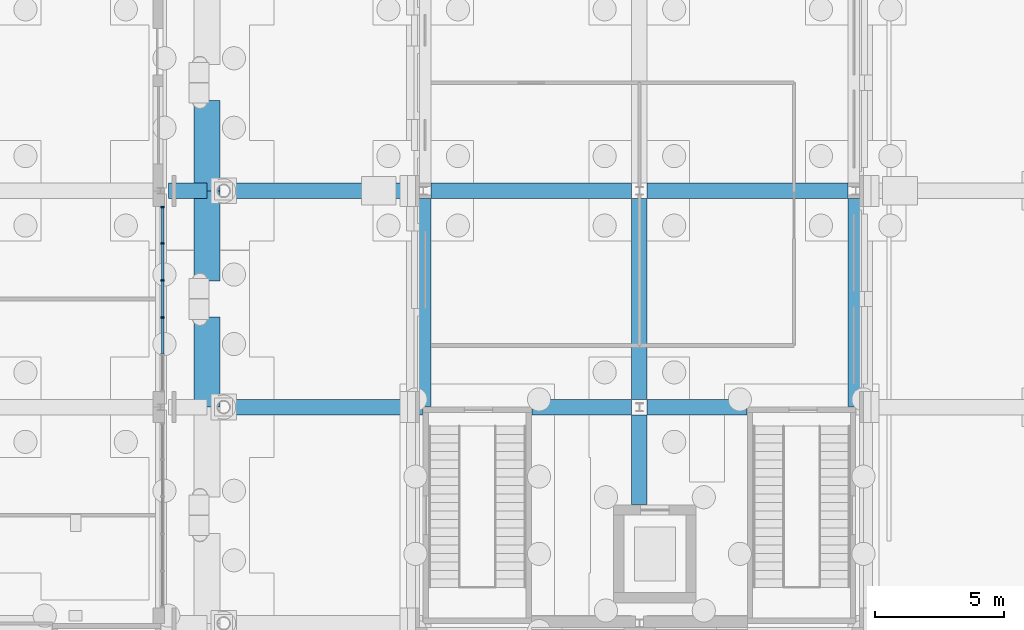
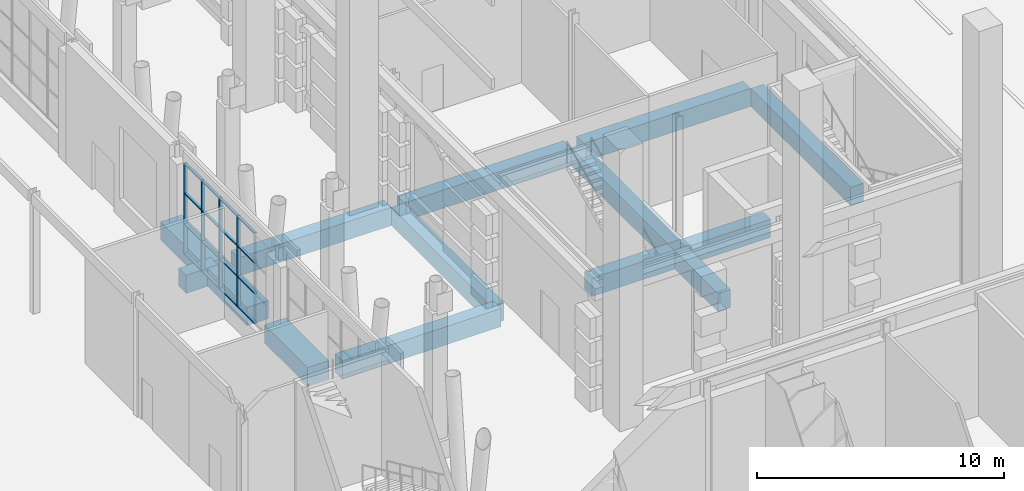
# One storey, part 52 of 222: 20 members, 14 beams, 1 element without a shape of its own.
"""IFC4 building model written with IfcOpenShell, lengths in metres."""

import ifcopenshell
import ifcopenshell.guid

model = None  # the IFC model being written
_history = None  # IfcOwnerHistory: only IFC2X3 demands one
_inside = {}  # id of a spatial element -> (the spatial element, [elements in it])
_under = {}  # id of a project, library or spatial element -> (it, [spatial elements below it])
_declared = {}  # id of a project -> (the project, [libraries it declares])
_typed = {}  # id of a type object -> (the type object, [elements of that type])
_made_of = {}  # id of a material, layer set ... -> (it, [elements and type objects made of it])


def new_model(schema):
    """Start an empty IFC model of exactly this schema.

    Asked for "IFC4X3", IfcOpenShell would pick the latest addendum, in which some entities
    have other attributes; the version numbers below select the first issue.
    IFC2X3 requires an IfcOwnerHistory on every rooted entity: one is made here for all.
    """
    global model, _history
    if schema == "IFC4X3":
        model = ifcopenshell.file(schema_version=(4, 3, 0, 0))
    else:
        model = ifcopenshell.file(schema=schema)
    _inside.clear()
    _under.clear()
    _declared.clear()
    _typed.clear()
    _made_of.clear()
    _history = None
    if model.schema == "IFC2X3":
        org = make("IfcOrganization", Name="unknown")
        user = make(
            "IfcPersonAndOrganization",
            ThePerson=make("IfcPerson", FamilyName="unknown"),
            TheOrganization=org,
        )
        app = make(
            "IfcApplication",
            ApplicationDeveloper=org,
            Version="unknown",
            ApplicationFullName="unknown",
            ApplicationIdentifier="unknown",
        )
        _history = make(
            "IfcOwnerHistory",
            OwningUser=user,
            OwningApplication=app,
            ChangeAction="ADDED",
            CreationDate=0,
        )
    return model


def make(cls, **values):
    """One entity of the class cls with the attributes given. An attribute that is None is left unset."""
    return model.create_entity(
        cls, **{name: value for name, value in values.items() if value is not None}
    )


def rooted(cls, **values):
    """An entity with a GlobalId (a new one), such as an element, a storey or a relation."""
    return make(cls, GlobalId=ifcopenshell.guid.new(), OwnerHistory=_history, **values)


def si_unit(unit_type, name, prefix=None):
    """IfcSIUnit, for example si_unit("LENGTHUNIT", "METRE", prefix="MILLI")."""
    return make("IfcSIUnit", UnitType=unit_type, Prefix=prefix, Name=name)


def assignment(units):
    """IfcUnitAssignment: the units of a project."""
    return None if units is None else make("IfcUnitAssignment", Units=units)


def point(xyz):
    """IfcCartesianPoint."""
    return None if xyz is None else make("IfcCartesianPoint", Coordinates=xyz)


def direction(xyz):
    """IfcDirection."""
    return None if xyz is None else make("IfcDirection", DirectionRatios=xyz)


def frame(location, z_axis=None, x_axis=None):
    """IfcAxis2Placement3D, a coordinate frame: its origin and axes. An axis left out is left unset."""
    return make(
        "IfcAxis2Placement3D",
        Location=point(location),
        Axis=direction(z_axis),
        RefDirection=direction(x_axis),
    )


def frame_2d(location, x_axis=None):
    """IfcAxis2Placement2D, a coordinate frame in the plane: its origin and x axis."""
    return make(
        "IfcAxis2Placement2D", Location=point(location), RefDirection=direction(x_axis)
    )


def origin():
    """The frame at (0, 0, 0) with its axes left unset."""
    return frame((0.0, 0.0, 0.0))


def origin_2d():
    """The frame at (0, 0) in the plane with its x axis left unset."""
    return frame_2d((0.0, 0.0))


def place(relative_to, where):
    """IfcLocalPlacement: puts the frame where relative to a parent placement (None: the world)."""
    return make(
        "IfcLocalPlacement", PlacementRelTo=relative_to, RelativePlacement=where
    )


def context(
    kind, dimensions, precision=None, world=None, true_north=None, identifier=None
):
    """IfcGeometricRepresentationContext, for example the 3D "Model" context."""
    return make(
        "IfcGeometricRepresentationContext",
        ContextIdentifier=identifier,
        ContextType=kind,
        CoordinateSpaceDimension=dimensions,
        Precision=precision,
        WorldCoordinateSystem=world,
        TrueNorth=true_north,
    )


def subcontext(parent, identifier, kind, view, scale=None):
    """IfcGeometricRepresentationSubContext, for example "Body" below "Model"."""
    return make(
        "IfcGeometricRepresentationSubContext",
        ContextIdentifier=identifier,
        ContextType=kind,
        ParentContext=parent,
        TargetScale=scale,
        TargetView=view,
    )


def project(units=None, contexts=None):
    """IfcProject with its units and contexts."""
    return rooted(
        "IfcProject",
        Name="project",
        RepresentationContexts=contexts,
        UnitsInContext=assignment(units),
    )


def spatial(cls, under=None, at=None, **own):
    """A site, building, storey or space (cls), placed at a placement, below another one or the project."""
    s = rooted(cls, ObjectPlacement=at, **own)
    if under is not None:
        _under.setdefault(under.id(), (under, []))[1].append(s)
    return s


def profile(cls, at=None, kind="AREA", **sizes):
    """A parametric profile (cls). Its sizes go by their IFC names, for example OverallWidth=200.0."""
    return make(cls, ProfileType=kind, Position=at, **sizes)


def rectangle(**sizes):
    """IfcRectangleProfileDef."""
    return profile("IfcRectangleProfileDef", **sizes)


def extrude(swept, where, along, depth):
    """IfcExtrudedAreaSolid: the profile swept, set in the frame where, extruded along a direction by depth."""
    return make(
        "IfcExtrudedAreaSolid",
        SweptArea=swept,
        Position=where,
        ExtrudedDirection=direction(along),
        Depth=depth,
    )


def shape(context_of_items, identifier, shape_type, items):
    """IfcShapeRepresentation: the items that make up one representation, for example the "Body"."""
    return make(
        "IfcShapeRepresentation",
        ContextOfItems=context_of_items,
        RepresentationIdentifier=identifier,
        RepresentationType=shape_type,
        Items=items,
    )


def material(Name=None, Category=None):
    """IfcMaterial."""
    return make("IfcMaterial", Name=Name, Category=Category)


def material_profile(
    of_material, cross_section, Name=None, Category=None, Priority=None
):
    """IfcMaterialProfile: a cross section and its material."""
    return make(
        "IfcMaterialProfile",
        Name=Name,
        Material=of_material,
        Profile=cross_section,
        Priority=Priority,
        Category=Category,
    )


def profile_set(profiles, Name=None, composite=None):
    """IfcMaterialProfileSet."""
    return make(
        "IfcMaterialProfileSet",
        Name=Name,
        MaterialProfiles=profiles,
        CompositeProfile=composite,
    )


def made_of(thing, what):
    """Note that an element or type object is made of a material, layer set ...; save() writes the relation."""
    if what is not None:
        _made_of.setdefault(what.id(), (what, []))[1].append(thing)
    return thing


def type_object(cls, material=None, **own):
    """A type object (cls), such as IfcWallType, which elements share."""
    return made_of(rooted(cls, **own), material)


def element(
    cls,
    number,
    at=None,
    inside=None,
    cuts=None,
    type_object=None,
    material=None,
    context=None,
    identifier="Body",
    shape_type=None,
    held_by="IfcProductDefinitionShape",
    body=None,
    shapes=None,
    **own,
):
    """One element of the class cls, such as IfcWall. Its Tag is "e" and its number.

    at: its placement. inside: the storey or other place that contains it. cuts: it is an
    opening in that element (IfcRelVoidsElement). A single representation is given by context,
    identifier, shape_type and body (its items); several are given by shapes. held_by: the class
    of the entity that holds the representations. save() writes the other relations.
    """
    e = rooted(cls, Tag="e%d" % number, ObjectPlacement=at, **own)
    if body is not None:
        shapes = [shape(context, identifier, shape_type, body)]
    if shapes is not None:
        e.Representation = make(held_by, Representations=shapes)
    if inside is not None:
        _inside.setdefault(inside.id(), (inside, []))[1].append(e)
    if cuts is not None:
        rooted(
            "IfcRelVoidsElement", RelatingBuildingElement=cuts, RelatedOpeningElement=e
        )
    if type_object is not None:
        _typed.setdefault(type_object.id(), (type_object, []))[1].append(e)
    return made_of(e, material)


def aggregate(whole, parts):
    """IfcRelAggregates: a whole, such as a stair, and the parts it consists of."""
    return rooted("IfcRelAggregates", RelatingObject=whole, RelatedObjects=parts)


def save(model, path):
    """Write the relations noted so far, then the file.

    IfcRelAggregates (storeys below a building ...), IfcRelContainedInSpatialStructure (elements
    in a storey), IfcRelDefinesByType, IfcRelAssociatesMaterial and IfcRelDeclares: one each for
    every whole, place, type object, material and project.
    """
    for whole, parts in _under.values():
        aggregate(whole, parts)
    for where, things in _inside.values():
        rooted(
            "IfcRelContainedInSpatialStructure",
            RelatedElements=things,
            RelatingStructure=where,
        )
    for kind, things in _typed.values():
        rooted("IfcRelDefinesByType", RelatedObjects=things, RelatingType=kind)
    for what, things in _made_of.values():
        rooted("IfcRelAssociatesMaterial", RelatedObjects=things, RelatingMaterial=what)
    for by, libraries in _declared.values():
        rooted("IfcRelDeclares", RelatingContext=by, RelatedDefinitions=libraries)
    model.write(path)


model = new_model("IFC4")

# Units and contexts
model_context = context("Model", 3, precision=1e-05, world=origin(), true_north=direction((0.0, 1.0)))
body_context = subcontext(model_context, "Body", "Model", "MODEL_VIEW")
ifc_project = project(units=[si_unit("LENGTHUNIT", "METRE"), si_unit("AREAUNIT", "SQUARE_METRE"), si_unit("VOLUMEUNIT", "CUBIC_METRE"), si_unit("PLANEANGLEUNIT", "RADIAN"), si_unit("MASSUNIT", "GRAM", prefix="KILO")], contexts=[model_context])

# Site, building, storey
site_placement = place(None, origin())
site = spatial("IfcSite", under=ifc_project, at=site_placement, CompositionType="ELEMENT")
building_placement = place(site_placement, origin())
building = spatial("IfcBuilding", under=site, at=building_placement, Name="Sava Quay Ferry Terminal", CompositionType="ELEMENT")
storey_placement = place(building_placement, origin())
storey = spatial("IfcBuildingStorey", under=building, at=storey_placement, Name="L00", CompositionType="ELEMENT", Elevation=0.0)

# Curtain wall, members
ifc_material_1 = material(Name="Aluminium and glass curtain wall, double low-e glazed", Category="aluminium")
curtain_wall_type = type_object("IfcCurtainWallType", Name="Curtain wall CW-F flank", PredefinedType="NOTDEFINED", material=ifc_material_1)
curtain_wall_placement = place(storey_placement, origin())
curtain_wall = element("IfcCurtainWall", 1, at=curtain_wall_placement, inside=storey, type_object=curtain_wall_type, Name="Curtain wall D-E L00 bay 3", PredefinedType="NOTDEFINED")
ifc_material_2 = material(Name="Aluminium EN AW-6063 T6", Category="aluminium")
ifc_material_profile_1 = material_profile(ifc_material_2, rectangle(XDim=0.14990234375, YDim=0.06005859375, at=origin_2d()), Name="Mullion 60x150 aluminium")
ifc_profile_set_1 = profile_set([ifc_material_profile_1], Name="Aluminium EN AW-6063 T6")
member_type_1 = type_object("IfcMemberType", Name="Mullion 60x150 aluminium", PredefinedType="MULLION", material=ifc_profile_set_1)
member_1_placement = place(storey_placement, frame((82.27490234375, 70.679931640625, 0.89990234375), z_axis=(0.0, 0.0, 1.0), x_axis=(-1.0, 0.0, 0.0)))
member_1 = element("IfcMember", 2, at=member_1_placement, type_object=member_type_1, Name="CW44 mullion 3", PredefinedType="MULLION", context=body_context, shape_type="SweptSolid", body=[
    extrude(rectangle(XDim=0.14990234375, YDim=0.06005859375, at=origin_2d()), origin(), (0.0, 0.0, 1.0), 4.5),
])
member_2_placement = place(storey_placement, frame((82.27490234375, 72.1201171875, 0.89990234375), z_axis=(0.0, 0.0, 1.0), x_axis=(-1.0, 0.0, 0.0)))
member_2 = element("IfcMember", 3, at=member_2_placement, type_object=member_type_1, Name="CW44 mullion 4", PredefinedType="MULLION", context=body_context, shape_type="SweptSolid", body=[
    extrude(rectangle(XDim=0.14990234375, YDim=0.06005859375, at=origin_2d()), origin(), (0.0, 0.0, 1.0), 4.5),
])
member_3_placement = place(storey_placement, frame((82.27490234375, 73.56005859375, 0.89990234375), z_axis=(0.0, 0.0, 1.0), x_axis=(-1.0, 0.0, 0.0)))
member_3 = element("IfcMember", 4, at=member_3_placement, type_object=member_type_1, Name="CW44 mullion 5", PredefinedType="MULLION", context=body_context, shape_type="SweptSolid", body=[
    extrude(rectangle(XDim=0.14990234375, YDim=0.06005859375, at=origin_2d()), origin(), (0.0, 0.0, 1.0), 4.5),
])
member_4_placement = place(storey_placement, frame((82.27490234375, 74.969970703125, 0.89990234375), z_axis=(0.0, 0.0, 1.0), x_axis=(-1.0, 0.0, 0.0)))
member_4 = element("IfcMember", 5, at=member_4_placement, type_object=member_type_1, Name="CW44 mullion 6", PredefinedType="MULLION", context=body_context, shape_type="SweptSolid", body=[
    extrude(rectangle(XDim=0.14990234375, YDim=0.06005859375, at=origin_2d()), origin(), (0.0, 0.0, 1.0), 4.5),
])

# Beams
ifc_material_3 = material(Name="Concrete C40/50", Category="concrete")
ifc_material_profile_2 = material_profile(ifc_material_3, rectangle(XDim=1.0, YDim=0.89990234375, at=origin_2d()), Name="RC 1000x900")
ifc_profile_set_2 = profile_set([ifc_material_profile_2], Name="Concrete C40/50")
beam_type_1 = type_object("IfcBeamType", Name="RC deck beam 1000x900", PredefinedType="BEAM", material=ifc_profile_set_2)
for number, where, z_axis, x_axis, name in (
    (6, (84.0, 67.199951171875, -0.89990234375), (0.0, 1.0, 0.0), (-1.0, 0.0, 0.0), "Deck beam Y84-67.2"),
    (7, (84.0, 72.10009765625, -0.89990234375), (0.0, 1.0, 0.0), (-1.0, 0.0, 0.0), "Deck beam Y84-67.2"),
    (8, (84.0, 75.60009765625, -0.89990234375), (0.0, 1.0, 0.0), (-1.0, 0.0, 0.0), "Deck beam Y84-75.6"),
):
    element("IfcBeam", number, at=place(storey_placement, frame(where, z_axis=z_axis, x_axis=x_axis)), inside=storey, type_object=beam_type_1, Name=name, PredefinedType="BEAM", context=body_context, shape_type="SweptSolid", body=[
        extrude(rectangle(XDim=1.0, YDim=0.89990234375, at=origin_2d()), origin(), (0.0, 0.0, 1.0), 3.5),
    ])
ifc_material_4 = material(Name="Concrete C40/50", Category="concrete")
ifc_material_profile_3 = material_profile(ifc_material_4, rectangle(XDim=0.60009765625, YDim=0.89990234375, at=origin_2d()), Name="RC 600x900")
ifc_profile_set_3 = profile_set([ifc_material_profile_3], Name="Concrete C40/50")
beam_type_2 = type_object("IfcBeamType", Name="RC deck beam 600x900", PredefinedType="BEAM", material=ifc_profile_set_3)
beam_1_placement = place(storey_placement, frame((84.949951171875, 67.199951171875, -0.89990234375), z_axis=(1.0, 0.0, 0.0), x_axis=(0.0, 1.0, 0.0)))
element("IfcBeam", 9, at=beam_1_placement, inside=storey, type_object=beam_type_2, Name="Deck beam X67.2-84", PredefinedType="BEAM", context=body_context, shape_type="SweptSolid", body=[
    extrude(rectangle(XDim=0.60009765625, YDim=0.89990234375, at=origin_2d()), origin(), (0.0, 0.0, 1.0), 7.429931640625),
])
for number, where, z_axis, x_axis, name in (
    (10, (96.6201171875, 67.199951171875, -0.89990234375), (1.0, 0.0, 0.0), (0.0, 1.0, 0.0), "Deck beam X67.2-92.4"),
    (11, (101.10009765625, 67.199951171875, -0.89990234375), (1.0, 0.0, 0.0), (0.0, 1.0, 0.0), "Deck beam X67.2-100.8"),
):
    element("IfcBeam", number, at=place(storey_placement, frame(where, z_axis=z_axis, x_axis=x_axis)), inside=storey, type_object=beam_type_2, Name=name, PredefinedType="BEAM", context=body_context, shape_type="SweptSolid", body=[
        extrude(rectangle(XDim=0.60009765625, YDim=0.89990234375, at=origin_2d()), origin(), (0.0, 0.0, 1.0), 3.8798828125),
    ])
beam_2_placement = place(storey_placement, frame((82.5, 75.60009765625, -0.89990234375), z_axis=(1.0, 0.0, 0.0), x_axis=(0.0, 1.0, 0.0)))
element("IfcBeam", 12, at=beam_2_placement, inside=storey, type_object=beam_type_2, Name="Deck beam X75.6-75.6", PredefinedType="BEAM", context=body_context, shape_type="SweptSolid", body=[
    extrude(rectangle(XDim=0.60009765625, YDim=0.89990234375, at=origin_2d()), origin(), (0.0, 0.0, 1.0), 1.5),
])
beam_3_placement = place(storey_placement, frame((84.949951171875, 75.60009765625, -0.89990234375), z_axis=(1.0, 0.0, 0.0), x_axis=(0.0, 1.0, 0.0)))
element("IfcBeam", 13, at=beam_3_placement, inside=storey, type_object=beam_type_2, Name="Deck beam X75.6-84", PredefinedType="BEAM", context=body_context, shape_type="SweptSolid", body=[
    extrude(rectangle(XDim=0.60009765625, YDim=0.89990234375, at=origin_2d()), origin(), (0.0, 0.0, 1.0), 7.150146484375),
])
beam_4_placement = place(storey_placement, frame((92.699951171875, 75.60009765625, -0.89990234375), z_axis=(1.0, 0.0, 0.0), x_axis=(0.0, 1.0, 0.0)))
element("IfcBeam", 14, at=beam_4_placement, inside=storey, type_object=beam_type_2, Name="Deck beam X75.6-92.4", PredefinedType="BEAM", context=body_context, shape_type="SweptSolid", body=[
    extrude(rectangle(XDim=0.60009765625, YDim=0.89990234375, at=origin_2d()), origin(), (0.0, 0.0, 1.0), 7.800048828125),
])
beam_5_placement = place(storey_placement, frame((101.10009765625, 75.60009765625, -0.89990234375), z_axis=(1.0, 0.0, 0.0), x_axis=(0.0, 1.0, 0.0)))
element("IfcBeam", 15, at=beam_5_placement, inside=storey, type_object=beam_type_2, Name="Deck beam X75.6-100.8", PredefinedType="BEAM", context=body_context, shape_type="SweptSolid", body=[
    extrude(rectangle(XDim=0.60009765625, YDim=0.89990234375, at=origin_2d()), origin(), (0.0, 0.0, 1.0), 7.7998046875),
])
beam_6_placement = place(storey_placement, frame((92.39990234375, 67.219970703125, -0.89990234375), z_axis=(0.0, 1.0, 0.0), x_axis=(-1.0, 0.0, 0.0)))
element("IfcBeam", 16, at=beam_6_placement, inside=storey, type_object=beam_type_2, Name="Deck beam Y92.4-67.2", PredefinedType="BEAM", context=body_context, shape_type="SweptSolid", body=[
    extrude(rectangle(XDim=0.60009765625, YDim=0.89990234375, at=origin_2d()), origin(), (0.0, 0.0, 1.0), 8.080078125),
])
beam_7_placement = place(storey_placement, frame((100.800048828125, 63.419921875, -0.89990234375), z_axis=(0.0, 1.0, 0.0), x_axis=(-1.0, 0.0, 0.0)))
element("IfcBeam", 17, at=beam_7_placement, inside=storey, type_object=beam_type_2, Name="Deck beam Y100.8-58.8", PredefinedType="BEAM", context=body_context, shape_type="SweptSolid", body=[
    extrude(rectangle(XDim=0.60009765625, YDim=0.89990234375, at=origin_2d()), origin(), (0.0, 0.0, 1.0), 3.47998046875),
])
beam_8_placement = place(storey_placement, frame((100.800048828125, 67.5, -0.89990234375), z_axis=(0.0, 1.0, 0.0), x_axis=(-1.0, 0.0, 0.0)))
element("IfcBeam", 18, at=beam_8_placement, inside=storey, type_object=beam_type_2, Name="Deck beam Y100.8-67.2", PredefinedType="BEAM", context=body_context, shape_type="SweptSolid", body=[
    extrude(rectangle(XDim=0.60009765625, YDim=0.89990234375, at=origin_2d()), origin(), (0.0, 0.0, 1.0), 7.800048828125),
])
beam_9_placement = place(storey_placement, frame((109.199951171875, 67.219970703125, -0.89990234375), z_axis=(0.0, 1.0, 0.0), x_axis=(-1.0, 0.0, 0.0)))
element("IfcBeam", 19, at=beam_9_placement, inside=storey, type_object=beam_type_2, Name="Deck beam Y109.2-67.2", PredefinedType="BEAM", context=body_context, shape_type="SweptSolid", body=[
    extrude(rectangle(XDim=0.60009765625, YDim=0.89990234375, at=origin_2d()), origin(), (0.0, 0.0, 1.0), 8.080078125),
])

# Member
ifc_material_5 = material(Name="Aluminium EN AW-6063 T6", Category="aluminium")
ifc_material_profile_4 = material_profile(ifc_material_5, rectangle(XDim=0.1201171875, YDim=0.050048828125, at=origin_2d()), Name="Transom 50x120 aluminium")
ifc_profile_set_4 = profile_set([ifc_material_profile_4], Name="Aluminium EN AW-6063 T6")
member_type_2 = type_object("IfcMemberType", Name="Transom 50x120 aluminium", PredefinedType="USERDEFINED", material=ifc_profile_set_4)
member_5_placement = place(storey_placement, frame((82.27490234375, 69.27001953125, 0.925048828125), z_axis=(0.0, 1.0, 0.0), x_axis=(-1.0, 0.0, 0.0)))
member_5 = element("IfcMember", 20, at=member_5_placement, type_object=member_type_2, Name="CW44 transom 2.1", ObjectType="TRANSOM", PredefinedType="USERDEFINED", context=body_context, shape_type="SweptSolid", body=[
    extrude(rectangle(XDim=0.1201171875, YDim=0.050048828125, at=origin_2d()), origin(), (0.0, 0.0, 1.0), 1.3798828125),
])

member_6_placement = place(storey_placement, frame((82.27490234375, 69.27001953125, 2.39990234375), z_axis=(0.0, 1.0, 0.0), x_axis=(-1.0, 0.0, 0.0)))
member_6 = element("IfcMember", 21, at=member_6_placement, type_object=member_type_2, Name="CW44 transom 2.2", ObjectType="TRANSOM", PredefinedType="USERDEFINED", context=body_context, shape_type="SweptSolid", body=[
    extrude(rectangle(XDim=0.1201171875, YDim=0.050048828125, at=origin_2d()), origin(), (0.0, 0.0, 1.0), 1.3798828125),
])

member_7_placement = place(storey_placement, frame((82.27490234375, 69.27001953125, 3.89990234375), z_axis=(0.0, 1.0, 0.0), x_axis=(-1.0, 0.0, 0.0)))
member_7 = element("IfcMember", 22, at=member_7_placement, type_object=member_type_2, Name="CW44 transom 2.3", ObjectType="TRANSOM", PredefinedType="USERDEFINED", context=body_context, shape_type="SweptSolid", body=[
    extrude(rectangle(XDim=0.1201171875, YDim=0.050048828125, at=origin_2d()), origin(), (0.0, 0.0, 1.0), 1.3798828125),
])

member_8_placement = place(storey_placement, frame((82.27490234375, 69.27001953125, 5.375), z_axis=(0.0, 1.0, 0.0), x_axis=(-1.0, 0.0, 0.0)))
member_8 = element("IfcMember", 23, at=member_8_placement, type_object=member_type_2, Name="CW44 transom 2.4", ObjectType="TRANSOM", PredefinedType="USERDEFINED", context=body_context, shape_type="SweptSolid", body=[
    extrude(rectangle(XDim=0.1201171875, YDim=0.050048828125, at=origin_2d()), origin(), (0.0, 0.0, 1.0), 1.3798828125),
])

member_9_placement = place(storey_placement, frame((82.27490234375, 70.7099609375, 0.925048828125), z_axis=(0.0, 1.0, 0.0), x_axis=(-1.0, 0.0, 0.0)))
member_9 = element("IfcMember", 24, at=member_9_placement, type_object=member_type_2, Name="CW44 transom 3.1", ObjectType="TRANSOM", PredefinedType="USERDEFINED", context=body_context, shape_type="SweptSolid", body=[
    extrude(rectangle(XDim=0.1201171875, YDim=0.050048828125, at=origin_2d()), origin(), (0.0, 0.0, 1.0), 1.380126953125),
])

member_10_placement = place(storey_placement, frame((82.27490234375, 70.7099609375, 2.39990234375), z_axis=(0.0, 1.0, 0.0), x_axis=(-1.0, 0.0, 0.0)))
member_10 = element("IfcMember", 25, at=member_10_placement, type_object=member_type_2, Name="CW44 transom 3.2", ObjectType="TRANSOM", PredefinedType="USERDEFINED", context=body_context, shape_type="SweptSolid", body=[
    extrude(rectangle(XDim=0.1201171875, YDim=0.050048828125, at=origin_2d()), origin(), (0.0, 0.0, 1.0), 1.380126953125),
])

member_11_placement = place(storey_placement, frame((82.27490234375, 70.7099609375, 3.89990234375), z_axis=(0.0, 1.0, 0.0), x_axis=(-1.0, 0.0, 0.0)))
member_11 = element("IfcMember", 26, at=member_11_placement, type_object=member_type_2, Name="CW44 transom 3.3", ObjectType="TRANSOM", PredefinedType="USERDEFINED", context=body_context, shape_type="SweptSolid", body=[
    extrude(rectangle(XDim=0.1201171875, YDim=0.050048828125, at=origin_2d()), origin(), (0.0, 0.0, 1.0), 1.380126953125),
])

member_12_placement = place(storey_placement, frame((82.27490234375, 70.7099609375, 5.375), z_axis=(0.0, 1.0, 0.0), x_axis=(-1.0, 0.0, 0.0)))
member_12 = element("IfcMember", 27, at=member_12_placement, type_object=member_type_2, Name="CW44 transom 3.4", ObjectType="TRANSOM", PredefinedType="USERDEFINED", context=body_context, shape_type="SweptSolid", body=[
    extrude(rectangle(XDim=0.1201171875, YDim=0.050048828125, at=origin_2d()), origin(), (0.0, 0.0, 1.0), 1.380126953125),
])

member_13_placement = place(storey_placement, frame((82.27490234375, 72.14990234375, 0.925048828125), z_axis=(0.0, 1.0, 0.0), x_axis=(-1.0, 0.0, 0.0)))
member_13 = element("IfcMember", 28, at=member_13_placement, type_object=member_type_2, Name="CW44 transom 4.1", ObjectType="TRANSOM", PredefinedType="USERDEFINED", context=body_context, shape_type="SweptSolid", body=[
    extrude(rectangle(XDim=0.1201171875, YDim=0.050048828125, at=origin_2d()), origin(), (0.0, 0.0, 1.0), 1.380126953125),
])

member_14_placement = place(storey_placement, frame((82.27490234375, 72.14990234375, 2.39990234375), z_axis=(0.0, 1.0, 0.0), x_axis=(-1.0, 0.0, 0.0)))
member_14 = element("IfcMember", 29, at=member_14_placement, type_object=member_type_2, Name="CW44 transom 4.2", ObjectType="TRANSOM", PredefinedType="USERDEFINED", context=body_context, shape_type="SweptSolid", body=[
    extrude(rectangle(XDim=0.1201171875, YDim=0.050048828125, at=origin_2d()), origin(), (0.0, 0.0, 1.0), 1.380126953125),
])

member_15_placement = place(storey_placement, frame((82.27490234375, 72.14990234375, 3.89990234375), z_axis=(0.0, 1.0, 0.0), x_axis=(-1.0, 0.0, 0.0)))
member_15 = element("IfcMember", 30, at=member_15_placement, type_object=member_type_2, Name="CW44 transom 4.3", ObjectType="TRANSOM", PredefinedType="USERDEFINED", context=body_context, shape_type="SweptSolid", body=[
    extrude(rectangle(XDim=0.1201171875, YDim=0.050048828125, at=origin_2d()), origin(), (0.0, 0.0, 1.0), 1.380126953125),
])

member_16_placement = place(storey_placement, frame((82.27490234375, 72.14990234375, 5.375), z_axis=(0.0, 1.0, 0.0), x_axis=(-1.0, 0.0, 0.0)))
member_16 = element("IfcMember", 31, at=member_16_placement, type_object=member_type_2, Name="CW44 transom 4.4", ObjectType="TRANSOM", PredefinedType="USERDEFINED", context=body_context, shape_type="SweptSolid", body=[
    extrude(rectangle(XDim=0.1201171875, YDim=0.050048828125, at=origin_2d()), origin(), (0.0, 0.0, 1.0), 1.380126953125),
])

member_17_placement = place(storey_placement, frame((82.27490234375, 73.590087890625, 0.925048828125), z_axis=(0.0, 1.0, 0.0), x_axis=(-1.0, 0.0, 0.0)))
member_17 = element("IfcMember", 32, at=member_17_placement, type_object=member_type_2, Name="CW44 transom 5.1", ObjectType="TRANSOM", PredefinedType="USERDEFINED", context=body_context, shape_type="SweptSolid", body=[
    extrude(rectangle(XDim=0.1201171875, YDim=0.050048828125, at=origin_2d()), origin(), (0.0, 0.0, 1.0), 1.349853515625),
])

member_18_placement = place(storey_placement, frame((82.27490234375, 73.590087890625, 2.39990234375), z_axis=(0.0, 1.0, 0.0), x_axis=(-1.0, 0.0, 0.0)))
member_18 = element("IfcMember", 33, at=member_18_placement, type_object=member_type_2, Name="CW44 transom 5.2", ObjectType="TRANSOM", PredefinedType="USERDEFINED", context=body_context, shape_type="SweptSolid", body=[
    extrude(rectangle(XDim=0.1201171875, YDim=0.050048828125, at=origin_2d()), origin(), (0.0, 0.0, 1.0), 1.349853515625),
])

member_19_placement = place(storey_placement, frame((82.27490234375, 73.590087890625, 3.89990234375), z_axis=(0.0, 1.0, 0.0), x_axis=(-1.0, 0.0, 0.0)))
member_19 = element("IfcMember", 34, at=member_19_placement, type_object=member_type_2, Name="CW44 transom 5.3", ObjectType="TRANSOM", PredefinedType="USERDEFINED", context=body_context, shape_type="SweptSolid", body=[
    extrude(rectangle(XDim=0.1201171875, YDim=0.050048828125, at=origin_2d()), origin(), (0.0, 0.0, 1.0), 1.349853515625),
])

member_20_placement = place(storey_placement, frame((82.27490234375, 73.590087890625, 5.375), z_axis=(0.0, 1.0, 0.0), x_axis=(-1.0, 0.0, 0.0)))
member_20 = element("IfcMember", 35, at=member_20_placement, type_object=member_type_2, Name="CW44 transom 5.4", ObjectType="TRANSOM", PredefinedType="USERDEFINED", context=body_context, shape_type="SweptSolid", body=[
    extrude(rectangle(XDim=0.1201171875, YDim=0.050048828125, at=origin_2d()), origin(), (0.0, 0.0, 1.0), 1.349853515625),
])

aggregate(curtain_wall, [member_1, member_2, member_3, member_4, member_5, member_6, member_7, member_8, member_9, member_10, member_11, member_12, member_13, member_14, member_15, member_16, member_17, member_18, member_19, member_20])

save(model, "model.ifc")
